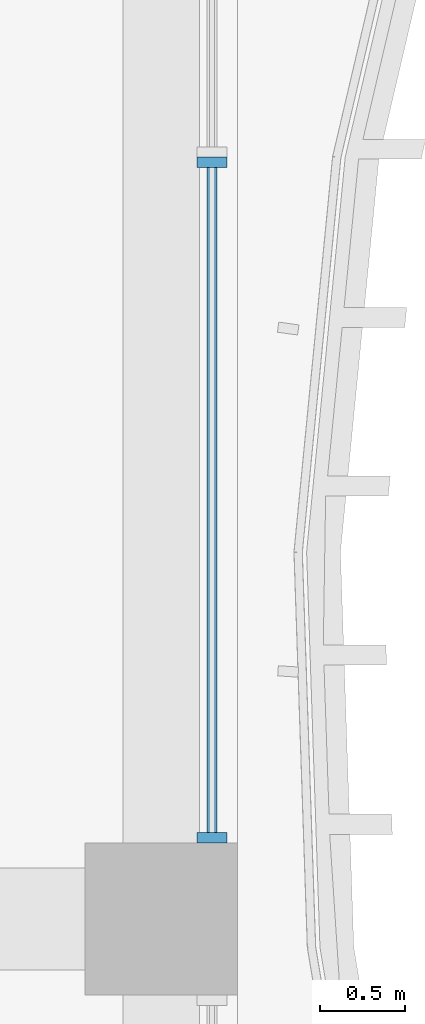
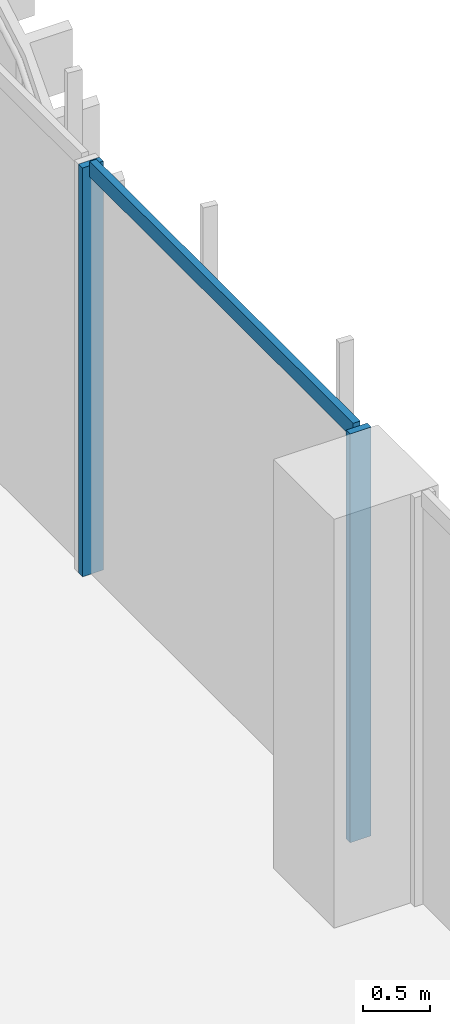
# One storey, part 6 of 25: 3 members, 1 element without a shape of its own.
"""IFC4 building model written with IfcOpenShell, lengths in metres."""

from ifc_helpers import new_model, si_unit, direction, frame, origin, origin_2d, place, context, subcontext, project, spatial, rectangle, extrude, source, transform, mapped, material, material_profile, profile_set, type_object, element, aggregate, save


model = new_model("IFC4")

# Units and contexts
model_context = context("Model", 3, precision=1e-05, world=origin(), true_north=direction((0.0, 1.0)))
body_context = subcontext(model_context, "Body", "Model", "MODEL_VIEW")
ifc_project = project(units=[si_unit("LENGTHUNIT", "METRE"), si_unit("AREAUNIT", "SQUARE_METRE"), si_unit("VOLUMEUNIT", "CUBIC_METRE"), si_unit("PLANEANGLEUNIT", "RADIAN"), si_unit("MASSUNIT", "GRAM", prefix="KILO")], contexts=[model_context])

# Site, building, storey
site_placement = place(None, origin())
site = spatial("IfcSite", under=ifc_project, at=site_placement, CompositionType="ELEMENT")
building_placement = place(site_placement, origin())
building = spatial("IfcBuilding", under=site, at=building_placement, Name="Kilnfold Tower and Market Hall", CompositionType="ELEMENT")
storey_placement = place(building_placement, frame((0.0, 0.0, 67.199951171875)))
storey = spatial("IfcBuildingStorey", under=building, at=storey_placement, Name="L15", CompositionType="ELEMENT", Elevation=67.199951171875)

# Curtain wall, members
ifc_material_1 = material(Name="Aluminium and double glazing", Category="aluminium")
curtain_wall_type = type_object("IfcCurtainWallType", Name="CW OF1 VALLEY GLAZING", PredefinedType="NOTDEFINED", material=ifc_material_1)
curtain_wall_placement = place(storey_placement, origin())
curtain_wall = element("IfcCurtainWall", 1, at=curtain_wall_placement, inside=storey, type_object=curtain_wall_type, Name="Curtain wall CW1 L15 E", PredefinedType="NOTDEFINED")
ifc_material_2 = material(Name="Aluminium", Category="aluminium")
ifc_material_profile_1 = material_profile(ifc_material_2, rectangle(XDim=0.06005859375, YDim=0.179931640625, at=origin_2d()), Name="MULLION 60x180")
ifc_profile_set_1 = profile_set([ifc_material_profile_1], Name="Aluminium")
member_type_1 = type_object("IfcMemberType", Name="MULLION 60X180", PredefinedType="MULLION", material=ifc_profile_set_1)
shared_shape_1 = source(origin(), body_context, "Body", "SweptSolid", [
    extrude(rectangle(XDim=0.06005859375, YDim=0.179931640625, at=origin_2d()), origin(), (0.0, 0.0, 1.0), 3.719970703125),
])
member_1_placement = place(storey_placement, frame((32.85009765625, -0.52001953125, 0.0), z_axis=(0.0, 0.0, 1.0), x_axis=(0.0, 1.0, 0.0)))
member_1 = element("IfcMember", 2, at=member_1_placement, type_object=member_type_1, Name="CW1 mullion 1", PredefinedType="MULLION", context=body_context, shape_type="MappedRepresentation", body=[
    mapped(shared_shape_1, transform((0.0, 0.0, 0.0))),
])
member_2_placement = place(storey_placement, frame((32.85009765625, 3.469970703125, 0.0), z_axis=(0.0, 0.0, 1.0), x_axis=(0.0, 1.0, 0.0)))
member_2 = element("IfcMember", 3, at=member_2_placement, type_object=member_type_1, Name="CW1 mullion 2", PredefinedType="MULLION", context=body_context, shape_type="MappedRepresentation", body=[
    mapped(shared_shape_1, transform((0.0, 0.0, 0.0))),
])
ifc_material_3 = material(Name="Aluminium", Category="aluminium")
ifc_material_profile_2 = material_profile(ifc_material_3, rectangle(XDim=0.06005859375, YDim=0.139892578125, at=origin_2d()), Name="TRANSOM 60x140")
ifc_profile_set_2 = profile_set([ifc_material_profile_2], Name="Aluminium")
member_type_2 = type_object("IfcMemberType", Name="TRANSOM 60X140", PredefinedType="USERDEFINED", material=ifc_profile_set_2)
shared_shape_2 = source(origin(), body_context, "Body", "SweptSolid", [
    extrude(rectangle(XDim=0.06005859375, YDim=0.139892578125, at=origin_2d()), origin(), (0.0, 0.0, 1.0), 3.929931640625),
])
member_3_placement = place(storey_placement, frame((32.85009765625, -0.489990234375, 3.68994140625), z_axis=(0.0, 1.0, 0.0), x_axis=(-1.0, 0.0, 0.0)))
member_3 = element("IfcMember", 4, at=member_3_placement, type_object=member_type_2, Name="CW1 transom 1.2", ObjectType="TRANSOM", PredefinedType="USERDEFINED", context=body_context, shape_type="MappedRepresentation", body=[
    mapped(shared_shape_2, transform((0.0, 0.0, 0.0))),
])
aggregate(curtain_wall, [member_1, member_2, member_3])

save(model, "model.ifc")
